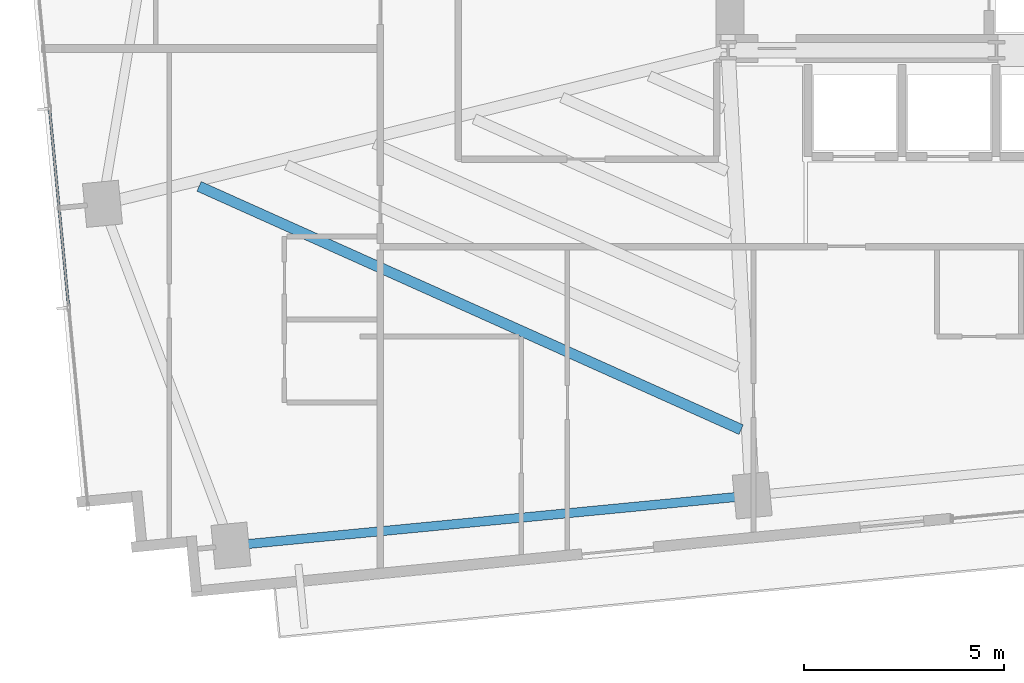
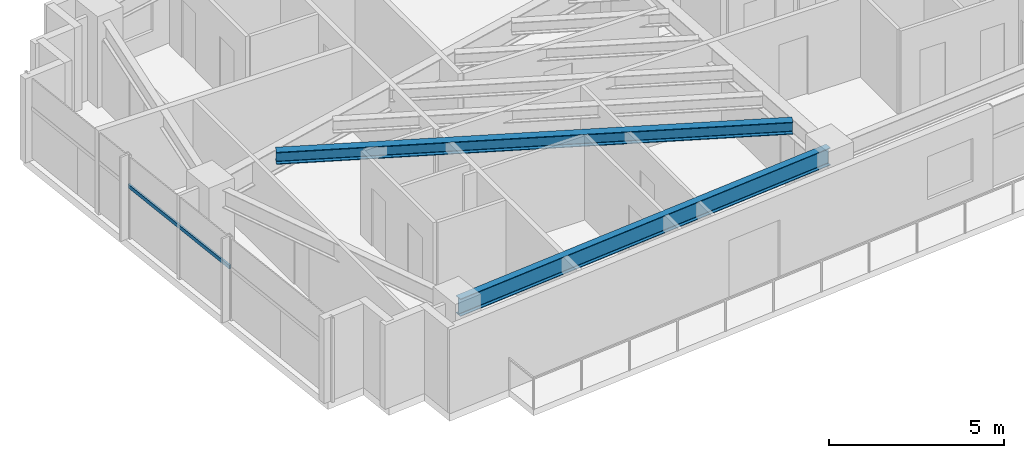
# One storey, part 3 of 27: 2 beams, 1 member, 1 element without a shape of its own.
"""IFC4 building model written with IfcOpenShell, lengths in metres."""

import ifcopenshell
import ifcopenshell.guid

model = None  # the IFC model being written
_history = None  # IfcOwnerHistory: only IFC2X3 demands one
_inside = {}  # id of a spatial element -> (the spatial element, [elements in it])
_under = {}  # id of a project, library or spatial element -> (it, [spatial elements below it])
_declared = {}  # id of a project -> (the project, [libraries it declares])
_typed = {}  # id of a type object -> (the type object, [elements of that type])
_made_of = {}  # id of a material, layer set ... -> (it, [elements and type objects made of it])


def new_model(schema):
    """Start an empty IFC model of exactly this schema.

    Asked for "IFC4X3", IfcOpenShell would pick the latest addendum, in which some entities
    have other attributes; the version numbers below select the first issue.
    IFC2X3 requires an IfcOwnerHistory on every rooted entity: one is made here for all.
    """
    global model, _history
    if schema == "IFC4X3":
        model = ifcopenshell.file(schema_version=(4, 3, 0, 0))
    else:
        model = ifcopenshell.file(schema=schema)
    _inside.clear()
    _under.clear()
    _declared.clear()
    _typed.clear()
    _made_of.clear()
    _history = None
    if model.schema == "IFC2X3":
        org = make("IfcOrganization", Name="unknown")
        user = make(
            "IfcPersonAndOrganization",
            ThePerson=make("IfcPerson", FamilyName="unknown"),
            TheOrganization=org,
        )
        app = make(
            "IfcApplication",
            ApplicationDeveloper=org,
            Version="unknown",
            ApplicationFullName="unknown",
            ApplicationIdentifier="unknown",
        )
        _history = make(
            "IfcOwnerHistory",
            OwningUser=user,
            OwningApplication=app,
            ChangeAction="ADDED",
            CreationDate=0,
        )
    return model


def make(cls, **values):
    """One entity of the class cls with the attributes given. An attribute that is None is left unset."""
    return model.create_entity(
        cls, **{name: value for name, value in values.items() if value is not None}
    )


def rooted(cls, **values):
    """An entity with a GlobalId (a new one), such as an element, a storey or a relation."""
    return make(cls, GlobalId=ifcopenshell.guid.new(), OwnerHistory=_history, **values)


def si_unit(unit_type, name, prefix=None):
    """IfcSIUnit, for example si_unit("LENGTHUNIT", "METRE", prefix="MILLI")."""
    return make("IfcSIUnit", UnitType=unit_type, Prefix=prefix, Name=name)


def assignment(units):
    """IfcUnitAssignment: the units of a project."""
    return None if units is None else make("IfcUnitAssignment", Units=units)


def point(xyz):
    """IfcCartesianPoint."""
    return None if xyz is None else make("IfcCartesianPoint", Coordinates=xyz)


def direction(xyz):
    """IfcDirection."""
    return None if xyz is None else make("IfcDirection", DirectionRatios=xyz)


def frame(location, z_axis=None, x_axis=None):
    """IfcAxis2Placement3D, a coordinate frame: its origin and axes. An axis left out is left unset."""
    return make(
        "IfcAxis2Placement3D",
        Location=point(location),
        Axis=direction(z_axis),
        RefDirection=direction(x_axis),
    )


def frame_2d(location, x_axis=None):
    """IfcAxis2Placement2D, a coordinate frame in the plane: its origin and x axis."""
    return make(
        "IfcAxis2Placement2D", Location=point(location), RefDirection=direction(x_axis)
    )


def origin():
    """The frame at (0, 0, 0) with its axes left unset."""
    return frame((0.0, 0.0, 0.0))


def origin_2d():
    """The frame at (0, 0) in the plane with its x axis left unset."""
    return frame_2d((0.0, 0.0))


def place(relative_to, where):
    """IfcLocalPlacement: puts the frame where relative to a parent placement (None: the world)."""
    return make(
        "IfcLocalPlacement", PlacementRelTo=relative_to, RelativePlacement=where
    )


def context(
    kind, dimensions, precision=None, world=None, true_north=None, identifier=None
):
    """IfcGeometricRepresentationContext, for example the 3D "Model" context."""
    return make(
        "IfcGeometricRepresentationContext",
        ContextIdentifier=identifier,
        ContextType=kind,
        CoordinateSpaceDimension=dimensions,
        Precision=precision,
        WorldCoordinateSystem=world,
        TrueNorth=true_north,
    )


def subcontext(parent, identifier, kind, view, scale=None):
    """IfcGeometricRepresentationSubContext, for example "Body" below "Model"."""
    return make(
        "IfcGeometricRepresentationSubContext",
        ContextIdentifier=identifier,
        ContextType=kind,
        ParentContext=parent,
        TargetScale=scale,
        TargetView=view,
    )


def project(units=None, contexts=None):
    """IfcProject with its units and contexts."""
    return rooted(
        "IfcProject",
        Name="project",
        RepresentationContexts=contexts,
        UnitsInContext=assignment(units),
    )


def spatial(cls, under=None, at=None, **own):
    """A site, building, storey or space (cls), placed at a placement, below another one or the project."""
    s = rooted(cls, ObjectPlacement=at, **own)
    if under is not None:
        _under.setdefault(under.id(), (under, []))[1].append(s)
    return s


def profile(cls, at=None, kind="AREA", **sizes):
    """A parametric profile (cls). Its sizes go by their IFC names, for example OverallWidth=200.0."""
    return make(cls, ProfileType=kind, Position=at, **sizes)


def hollow_rectangle(**sizes):
    """IfcRectangleHollowProfileDef."""
    return profile("IfcRectangleHollowProfileDef", **sizes)


def i_section(**sizes):
    """IfcIShapeProfileDef."""
    return profile("IfcIShapeProfileDef", **sizes)


def extrude(swept, where, along, depth):
    """IfcExtrudedAreaSolid: the profile swept, set in the frame where, extruded along a direction by depth."""
    return make(
        "IfcExtrudedAreaSolid",
        SweptArea=swept,
        Position=where,
        ExtrudedDirection=direction(along),
        Depth=depth,
    )


def shape(context_of_items, identifier, shape_type, items):
    """IfcShapeRepresentation: the items that make up one representation, for example the "Body"."""
    return make(
        "IfcShapeRepresentation",
        ContextOfItems=context_of_items,
        RepresentationIdentifier=identifier,
        RepresentationType=shape_type,
        Items=items,
    )


def source(mapping_origin, context_of_items, identifier, shape_type, items):
    """IfcRepresentationMap: a shape defined once, which mapped items show again and again."""
    return make(
        "IfcRepresentationMap",
        MappingOrigin=mapping_origin,
        MappedRepresentation=shape(context_of_items, identifier, shape_type, items),
    )


def transform(
    local_origin,
    x_axis=None,
    y_axis=None,
    z_axis=None,
    scale=None,
    scale2=None,
    scale3=None,
    uniform=True,
):
    """IfcCartesianTransformationOperator3D, or its non-uniform kind. x_axis, y_axis, z_axis: its Axis1, 2, 3."""
    if uniform:
        return make(
            "IfcCartesianTransformationOperator3D",
            Axis1=direction(x_axis),
            Axis2=direction(y_axis),
            LocalOrigin=point(local_origin),
            Scale=scale,
            Axis3=direction(z_axis),
        )
    return make(
        "IfcCartesianTransformationOperator3DnonUniform",
        Axis1=direction(x_axis),
        Axis2=direction(y_axis),
        LocalOrigin=point(local_origin),
        Scale=scale,
        Axis3=direction(z_axis),
        Scale2=scale2,
        Scale3=scale3,
    )


def mapped(mapping_source, mapping_target):
    """IfcMappedItem: shows the shape of a source again, moved by a transform."""
    return make(
        "IfcMappedItem", MappingSource=mapping_source, MappingTarget=mapping_target
    )


def material(Name=None, Category=None):
    """IfcMaterial."""
    return make("IfcMaterial", Name=Name, Category=Category)


def material_profile(
    of_material, cross_section, Name=None, Category=None, Priority=None
):
    """IfcMaterialProfile: a cross section and its material."""
    return make(
        "IfcMaterialProfile",
        Name=Name,
        Material=of_material,
        Profile=cross_section,
        Priority=Priority,
        Category=Category,
    )


def profile_set(profiles, Name=None, composite=None):
    """IfcMaterialProfileSet."""
    return make(
        "IfcMaterialProfileSet",
        Name=Name,
        MaterialProfiles=profiles,
        CompositeProfile=composite,
    )


def made_of(thing, what):
    """Note that an element or type object is made of a material, layer set ...; save() writes the relation."""
    if what is not None:
        _made_of.setdefault(what.id(), (what, []))[1].append(thing)
    return thing


def type_object(cls, material=None, **own):
    """A type object (cls), such as IfcWallType, which elements share."""
    return made_of(rooted(cls, **own), material)


def type_shapes(of_type, sources):
    """Give a type object the sources (RepresentationMaps) that its elements show as mapped items."""
    of_type.RepresentationMaps = sources


def element(
    cls,
    number,
    at=None,
    inside=None,
    cuts=None,
    type_object=None,
    material=None,
    context=None,
    identifier="Body",
    shape_type=None,
    held_by="IfcProductDefinitionShape",
    body=None,
    shapes=None,
    **own,
):
    """One element of the class cls, such as IfcWall. Its Tag is "e" and its number.

    at: its placement. inside: the storey or other place that contains it. cuts: it is an
    opening in that element (IfcRelVoidsElement). A single representation is given by context,
    identifier, shape_type and body (its items); several are given by shapes. held_by: the class
    of the entity that holds the representations. save() writes the other relations.
    """
    e = rooted(cls, Tag="e%d" % number, ObjectPlacement=at, **own)
    if body is not None:
        shapes = [shape(context, identifier, shape_type, body)]
    if shapes is not None:
        e.Representation = make(held_by, Representations=shapes)
    if inside is not None:
        _inside.setdefault(inside.id(), (inside, []))[1].append(e)
    if cuts is not None:
        rooted(
            "IfcRelVoidsElement", RelatingBuildingElement=cuts, RelatedOpeningElement=e
        )
    if type_object is not None:
        _typed.setdefault(type_object.id(), (type_object, []))[1].append(e)
    return made_of(e, material)


def aggregate(whole, parts):
    """IfcRelAggregates: a whole, such as a stair, and the parts it consists of."""
    return rooted("IfcRelAggregates", RelatingObject=whole, RelatedObjects=parts)


def save(model, path):
    """Write the relations noted so far, then the file.

    IfcRelAggregates (storeys below a building ...), IfcRelContainedInSpatialStructure (elements
    in a storey), IfcRelDefinesByType, IfcRelAssociatesMaterial and IfcRelDeclares: one each for
    every whole, place, type object, material and project.
    """
    for whole, parts in _under.values():
        aggregate(whole, parts)
    for where, things in _inside.values():
        rooted(
            "IfcRelContainedInSpatialStructure",
            RelatedElements=things,
            RelatingStructure=where,
        )
    for kind, things in _typed.values():
        rooted("IfcRelDefinesByType", RelatedObjects=things, RelatingType=kind)
    for what, things in _made_of.values():
        rooted("IfcRelAssociatesMaterial", RelatedObjects=things, RelatingMaterial=what)
    for by, libraries in _declared.values():
        rooted("IfcRelDeclares", RelatingContext=by, RelatedDefinitions=libraries)
    model.write(path)


model = new_model("IFC4")

# Units and contexts
model_context = context("Model", 3, precision=1e-05, world=origin(), true_north=direction((0.0, 1.0)))
body_context = subcontext(model_context, "Body", "Model", "MODEL_VIEW")
ifc_project = project(units=[si_unit("LENGTHUNIT", "METRE"), si_unit("AREAUNIT", "SQUARE_METRE"), si_unit("VOLUMEUNIT", "CUBIC_METRE"), si_unit("PLANEANGLEUNIT", "RADIAN"), si_unit("MASSUNIT", "GRAM", prefix="KILO")], contexts=[model_context])

# Site, building, storey
site_placement = place(None, origin())
site = spatial("IfcSite", under=ifc_project, at=site_placement, CompositionType="ELEMENT")
building_placement = place(site_placement, origin())
building = spatial("IfcBuilding", under=site, at=building_placement, Name="Astriad Promenade Condominiums", CompositionType="ELEMENT")
storey_placement = place(building_placement, frame((0.0, 0.0, 87.39990234375)))
storey = spatial("IfcBuildingStorey", under=building, at=storey_placement, Name="L24", CompositionType="ELEMENT", Elevation=87.39990234375)

# Beams
ifc_material_1 = material(Name="Steel ASTM A992 Grade 50", Category="steel")
ifc_material_profile_1 = material_profile(ifc_material_1, i_section(OverallWidth=0.22900390625, OverallDepth=0.612060546875, WebThickness=0.011962890625, FlangeThickness=0.01953125, FilletRadius=0.017822265625, at=origin_2d()), Name="W24X84")
ifc_profile_set_1 = profile_set([ifc_material_profile_1], Name="Steel ASTM A992 Grade 50")
beam_type_1 = type_object("IfcBeamType", Name="STEEL SPANDREL BEAM W24X84", PredefinedType="SPANDREL", material=ifc_profile_set_1)
shared_shape_1 = source(origin(), body_context, "Body", "SweptSolid", [
    extrude(i_section(OverallWidth=0.22900390625, OverallDepth=0.612060546875, WebThickness=0.011962890625, FlangeThickness=0.01953125, FilletRadius=0.017822265625, at=origin_2d()), origin(), (0.0, 0.0, 1.0), 13.02001953125),
])
type_shapes(beam_type_1, [shared_shape_1])
beam_1_placement = place(storey_placement, frame((14.005859375, 5.01318359375, 2.634033203125), z_axis=(0.995395138946, 0.095856754395, 0.0), x_axis=(-0.095856754395, 0.995395138946, 0.0)))
element("IfcBeam", 1, at=beam_1_placement, inside=storey, type_object=beam_type_1, Name="Perimeter Spandrel Beam SP-S1-L24", PredefinedType="SPANDREL", context=body_context, shape_type="MappedRepresentation", body=[
    mapped(shared_shape_1, transform((0.0, 0.0, 0.0), scale=1.0)),
])
ifc_material_profile_2 = material_profile(ifc_material_1, i_section(OverallWidth=0.26318359375, OverallDepth=0.425537109375, WebThickness=0.01318359375, FlangeThickness=0.022216796875, FilletRadius=0.013916015625, at=origin_2d()), Name="W16X89")
ifc_profile_set_2 = profile_set([ifc_material_profile_2], Name="Steel ASTM A992 Grade 50")
beam_type_2 = type_object("IfcBeamType", Name="STEEL FLOOR JOIST W16X89", PredefinedType="JOIST", material=ifc_profile_set_2)
shared_shape_2 = source(origin(), body_context, "Body", "SweptSolid", [
    extrude(i_section(OverallWidth=0.26318359375, OverallDepth=0.425537109375, WebThickness=0.01318359375, FlangeThickness=0.022216796875, FilletRadius=0.013916015625, at=origin_2d()), origin(), (0.0, 0.0, 1.0), 14.863037109375),
])
type_shapes(beam_type_2, [shared_shape_2])
beam_2_placement = place(storey_placement, frame((13.168212890625, 13.996826171875, 2.727294921875), z_axis=(0.912311114602, -0.409497777984, 0.0), x_axis=(0.409497777984, 0.912311114602, 0.0)))
element("IfcBeam", 2, at=beam_2_placement, inside=storey, type_object=beam_type_2, Name="Secondary Composite Floor Joist JW1-1-L24", PredefinedType="JOIST", context=body_context, shape_type="MappedRepresentation", body=[
    mapped(shared_shape_2, transform((0.0, 0.0, 0.0), scale=1.0)),
])

# Curtain wall, member
ifc_material_2 = material(Name="Anodised aluminium Black Dark Glass Unitised", Category="aluminium")
curtain_wall_type = type_object("IfcCurtainWallType", Name="CW-B2-DARK", PredefinedType="USERDEFINED", material=ifc_material_2)
curtain_wall_placement = place(storey_placement, origin())
curtain_wall = element("IfcCurtainWall", 3, at=curtain_wall_placement, inside=storey, type_object=curtain_wall_type, Name="CW-L24-W", ObjectType="UNITISED_CURTAIN_WALL", PredefinedType="USERDEFINED")
ifc_material_3 = material(Name="Anodised aluminium 6063-T6 Black", Category="aluminium")
ifc_material_profile_3 = material_profile(ifc_material_3, hollow_rectangle(XDim=0.06494140625, YDim=0.1298828125, WallThickness=0.00390625, at=origin_2d()), Name="ALU-TRN-65X130")
ifc_profile_set_3 = profile_set([ifc_material_profile_3], Name="Anodised aluminium 6063-T6 Black")
member_type = type_object("IfcMemberType", Name="TRN-ALU-TRN-65X130", PredefinedType="USERDEFINED", material=ifc_profile_set_3)
shared_shape_3 = source(origin(), body_context, "Body", "SweptSolid", [
    extrude(hollow_rectangle(XDim=0.06494140625, YDim=0.1298828125, WallThickness=0.00390625, at=origin_2d()), origin(), (0.0, 0.0, 1.0), 5.0),
])
type_shapes(member_type, [shared_shape_3])
member_placement = place(storey_placement, frame((9.90625, 10.9677734375, 1.822998046875), z_axis=(-0.095848242264, 0.995395958629, 0.0), x_axis=(-0.995395958629, -0.095848242264, 0.0)))
member = element("IfcMember", 4, at=member_placement, type_object=member_type, Name="CW-L24-W-TRN-01-0", ObjectType="TRANSOM", PredefinedType="USERDEFINED", context=body_context, shape_type="MappedRepresentation", body=[
    mapped(shared_shape_3, transform((0.0, 0.0, 0.0), scale=1.0)),
])
aggregate(curtain_wall, [member])

save(model, "model.ifc")
